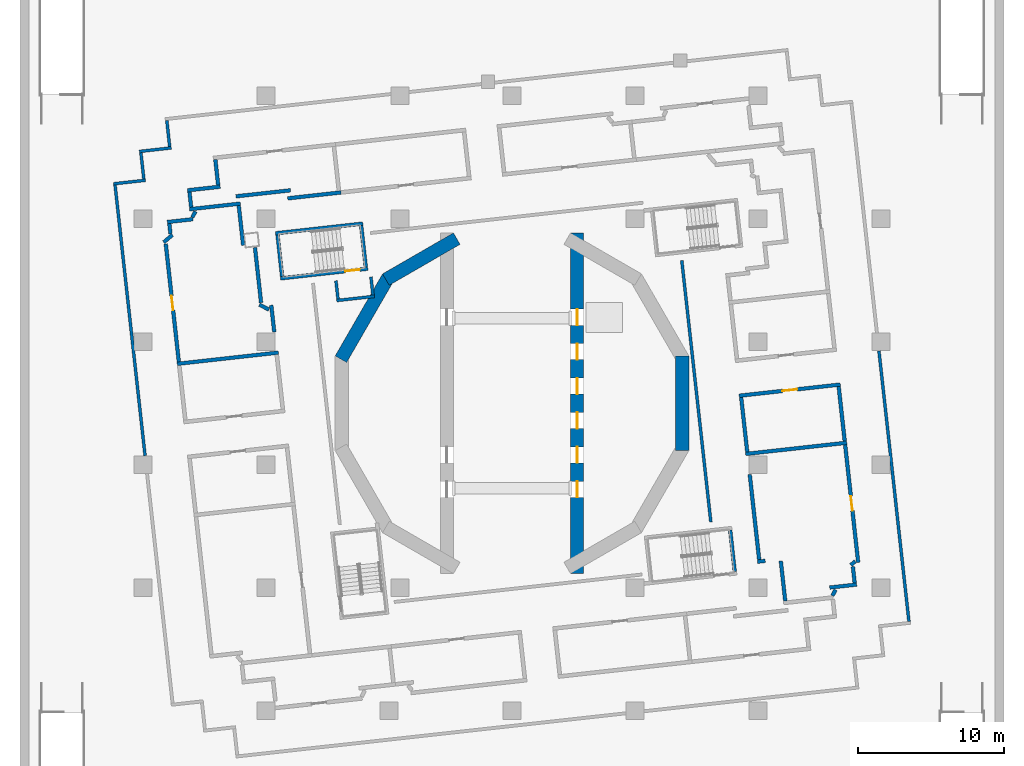
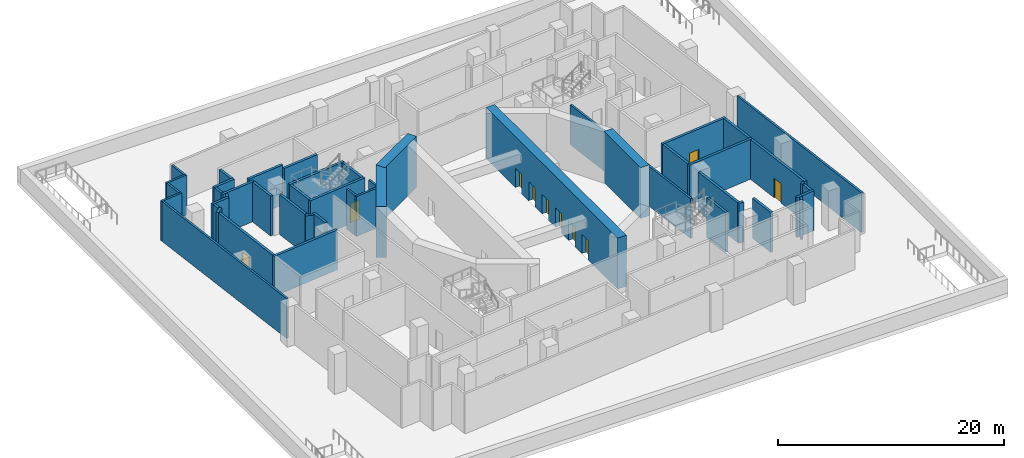
# One storey, part 3 of 12: 47 walls, 10 doors, 10 openings.
"""IFC4 building model written with IfcOpenShell, lengths in metres."""

from ifc_helpers import new_model, si_unit, direction, frame, frame_2d, origin, place, context, subcontext, project, spatial, rectangle, extrude, material, layer, layer_set, type_object, element, fill, save


model = new_model("IFC4")

# Units and contexts
model_context = context("Model", 3, precision=1e-05, world=origin(), true_north=direction((0.0, 1.0)))
body_context = subcontext(model_context, "Body", "Model", "MODEL_VIEW")
ifc_project = project(units=[si_unit("LENGTHUNIT", "METRE"), si_unit("AREAUNIT", "SQUARE_METRE"), si_unit("VOLUMEUNIT", "CUBIC_METRE"), si_unit("PLANEANGLEUNIT", "RADIAN"), si_unit("MASSUNIT", "GRAM", prefix="KILO")], contexts=[model_context])

# Site, building, storey
site_placement = place(None, origin())
site = spatial("IfcSite", under=ifc_project, at=site_placement, CompositionType="ELEMENT")
building_placement = place(site_placement, origin())
building = spatial("IfcBuilding", under=site, at=building_placement, Name="Cantera Rosa Tower", CompositionType="ELEMENT")
storey_placement = place(building_placement, frame((0.0, 0.0, 37.0)))
storey = spatial("IfcBuildingStorey", under=building, at=storey_placement, Name="L06", CompositionType="ELEMENT", Elevation=37.0)

# Walls
ifc_material_1 = material(Name="Masonry blockwork", Category="masonry")
ifc_layer_1 = layer(ifc_material_1, 0.199951171875)
ifc_layer_set_1 = layer_set([ifc_layer_1], Name="Blockwork partition 200")
wall_type_1 = type_object("IfcWallType", Name="Blockwork partition 200", PredefinedType="PARTITIONING", material=ifc_layer_set_1)
wall_1_placement = place(storey_placement, frame((-11.88232421875, 7.12841796875, 0.0), z_axis=(0.0, 0.0, 1.0), x_axis=(-0.110367206513, 0.993890879185, 0.0)))
element("IfcWall", 1, at=wall_1_placement, inside=storey, type_object=wall_type_1, Name="Partition L06-4", PredefinedType="PARTITIONING", context=body_context, shape_type="SweptSolid", body=[
    extrude(rectangle(XDim=1.249755859375, YDim=0.199951171875, at=frame_2d((0.625, 0.0))), origin(), (0.0, 0.0, 1.0), 4.300048828125),
])
wall_2_placement = place(storey_placement, frame((-11.970703125, 7.017822265625, 0.0), z_axis=(0.0, 0.0, 1.0), x_axis=(0.993895180132, 0.110328468272, 0.0)))
element("IfcWall", 2, at=wall_2_placement, inside=storey, type_object=wall_type_1, Name="Partition L06-5", PredefinedType="PARTITIONING", context=body_context, shape_type="SweptSolid", body=[
    extrude(rectangle(XDim=2.60009765625, YDim=0.199951171875, at=frame_2d((1.300048828125, 0.0))), origin(), (0.0, 0.0, 1.0), 4.300048828125),
])
wall_3_placement = place(storey_placement, frame((-9.496826171875, 7.39306640625, 0.0), z_axis=(0.0, 0.0, 1.0), x_axis=(-0.110345783203, 0.993893257915, 0.0)))
element("IfcWall", 3, at=wall_3_placement, inside=storey, type_object=wall_type_1, Name="Partition L06-6", PredefinedType="PARTITIONING", context=body_context, shape_type="SweptSolid", body=[
    extrude(rectangle(XDim=1.25, YDim=0.199951171875, at=frame_2d((0.625, 0.0))), origin(), (0.0, 0.0, 1.0), 4.300048828125),
])
wall_4_placement = place(storey_placement, frame((13.577392578125, -8.109130859375, 0.0), z_axis=(0.0, 0.0, 1.0), x_axis=(-0.110309246237, 0.993897313707, 0.0)))
element("IfcWall", 4, at=wall_4_placement, inside=storey, type_object=wall_type_1, Name="Partition L06-8", PredefinedType="PARTITIONING", context=body_context, shape_type="SweptSolid", body=[
    extrude(rectangle(XDim=17.96923828125, YDim=0.199951171875, at=frame_2d((8.984619140625, 0.0))), origin(), (0.0, 0.0, 1.0), 4.300048828125),
])
wall_5_placement = place(storey_placement, frame((-23.376220703125, 17.5283203125, 0.0), z_axis=(0.0, 0.0, 1.0), x_axis=(-0.110267775292, 0.993901915549, 0.0)))
element("IfcWall", 5, at=wall_5_placement, inside=storey, type_object=wall_type_1, Name="Partition L06-111", PredefinedType="PARTITIONING", context=body_context, shape_type="SweptSolid", body=[
    extrude(rectangle(XDim=1.800048828125, YDim=0.199951171875, at=frame_2d((0.89990234375, 0.0))), origin(), (0.0, 0.0, 1.0), 4.300048828125),
])
for number, where, z_axis, x_axis, name in (
    (6, (-25.452392578125, 17.197265625, 0.0), (0.0, 0.0, 1.0), (0.993897260817, 0.110309722784, 0.0), "Partition L06-116"),
    (7, (-27.219482421875, 14.98876953125, 0.0), (0.0, 0.0, 1.0), (0.993897260817, 0.110309722784, 0.0), "Partition L06-120"),
):
    element("IfcWall", number, at=place(storey_placement, frame(where, z_axis=z_axis, x_axis=x_axis)), inside=storey, type_object=wall_type_1, Name=name, PredefinedType="PARTITIONING", context=body_context, shape_type="SweptSolid", body=[
        extrude(rectangle(XDim=2.199951171875, YDim=0.199951171875, at=frame_2d((1.10009765625, 0.0))), origin(), (0.0, 0.0, 1.0), 4.300048828125),
    ])
wall_6_placement = place(storey_placement, frame((27.109130859375, -14.900390625, 0.0), z_axis=(0.0, 0.0, 1.0), x_axis=(-0.110303269636, 0.993897977012, 0.0)))
element("IfcWall", 8, at=wall_6_placement, inside=storey, type_object=wall_type_1, Name="Partition L06-122", PredefinedType="PARTITIONING", context=body_context, shape_type="SweptSolid", body=[
    extrude(rectangle(XDim=18.594482421875, YDim=0.199951171875, at=frame_2d((9.29736328125, 0.0))), origin(), (0.0, 0.0, 1.0), 4.300048828125),
])
wall_7_placement = place(storey_placement, frame((-25.143310546875, 15.31982421875, 0.0), z_axis=(0.0, 0.0, 1.0), x_axis=(-0.110401753874, 0.993887042245, 0.0)))
element("IfcWall", 9, at=wall_7_placement, inside=storey, type_object=wall_type_1, Name="Partition L06-131", PredefinedType="PARTITIONING", context=body_context, shape_type="SweptSolid", body=[
    extrude(rectangle(XDim=1.800048828125, YDim=0.199951171875, at=frame_2d((0.89990234375, 0.0))), origin(), (0.0, 0.0, 1.0), 4.300048828125),
])
wall_8_placement = place(storey_placement, frame((-25.05810546875, -3.58056640625, 0.0), z_axis=(0.0, 0.0, 1.0), x_axis=(-0.110303269636, 0.993897977012, 0.0)))
element("IfcWall", 10, at=wall_8_placement, inside=storey, type_object=wall_type_1, Name="Partition L06-133", PredefinedType="PARTITIONING", context=body_context, shape_type="SweptSolid", body=[
    extrude(rectangle(XDim=18.594482421875, YDim=0.199951171875, at=frame_2d((9.29736328125, 0.0))), origin(), (0.0, 0.0, 1.0), 4.300048828125),
])
ifc_material_2 = material(Name="Masonry blockwork", Category="masonry")
ifc_layer_2 = layer(ifc_material_2, 0.25)
ifc_layer_set_2 = layer_set([ifc_layer_2], Name="Fire-rated wall 250")
wall_type_2 = type_object("IfcWallType", Name="Fire-rated wall 250", PredefinedType="PARTITIONING", material=ifc_layer_set_2)
wall_9_placement = place(storey_placement, frame((16.7705078125, -10.81591796875, 0.0), z_axis=(0.0, 0.0, 1.0), x_axis=(0.993906401223, 0.110227336027, 0.0)))
element("IfcWall", 11, at=wall_9_placement, inside=storey, type_object=wall_type_2, Name="Fire wall L06-2", PredefinedType="PARTITIONING", context=body_context, shape_type="SweptSolid", body=[
    extrude(rectangle(XDim=0.52490234375, YDim=0.25, at=frame_2d((0.262451171875, 0.0))), origin(), (0.0, 0.0, 1.0), 4.300048828125),
])
wall_10_placement = place(storey_placement, frame((-18.856689453125, 14.132568359375, 0.0), z_axis=(0.0, 0.0, 1.0), x_axis=(0.993900395612, 0.110281474433, 0.0)))
element("IfcWall", 12, at=wall_10_placement, inside=storey, type_object=wall_type_2, Name="Fire wall L06-9", PredefinedType="PARTITIONING", context=body_context, shape_type="SweptSolid", body=[
    extrude(rectangle(XDim=3.750244140625, YDim=0.25, at=frame_2d((1.875, 0.0))), origin(), (0.0, 0.0, 1.0), 4.300048828125),
])
wall_11_placement = place(storey_placement, frame((-18.360107421875, 10.7919921875, 0.0), z_axis=(0.0, 0.0, 1.0), x_axis=(-0.110264258681, 0.993902305691, 0.0)))
element("IfcWall", 13, at=wall_11_placement, inside=storey, type_object=wall_type_2, Name="Fire wall L06-10", PredefinedType="PARTITIONING", context=body_context, shape_type="SweptSolid", body=[
    extrude(rectangle(XDim=2.723388671875, YDim=0.25, at=frame_2d((1.36181640625, 0.0))), origin(), (0.0, 0.0, 1.0), 4.300048828125),
])
wall_12_placement = place(storey_placement, frame((-22.021240234375, 13.251708984375, 0.0), z_axis=(0.0, 0.0, 1.0), x_axis=(0.993897366929, 0.110308766705, 0.0)))
element("IfcWall", 14, at=wall_12_placement, inside=storey, type_object=wall_type_2, Name="Fire wall L06-11", PredefinedType="PARTITIONING", context=body_context, shape_type="SweptSolid", body=[
    extrude(rectangle(XDim=3.492431640625, YDim=0.25, at=frame_2d((1.74609375, 0.0))), origin(), (0.0, 0.0, 1.0), 4.300048828125),
])
wall_13_placement = place(storey_placement, frame((-15.31982421875, 13.995361328125, 0.0), z_axis=(0.0, 0.0, 1.0), x_axis=(0.993893499596, 0.110343606342, 0.0)))
element("IfcWall", 15, at=wall_13_placement, inside=storey, type_object=wall_type_2, Name="Fire wall L06-12", PredefinedType="PARTITIONING", context=body_context, shape_type="SweptSolid", body=[
    extrude(rectangle(XDim=3.6572265625, YDim=0.25, at=frame_2d((1.82861328125, 0.0))), origin(), (0.0, 0.0, 1.0), 4.300048828125),
])
wall_14_placement = place(storey_placement, frame((-21.83349609375, 12.694091796875, 0.0), z_axis=(0.0, 0.0, 1.0), x_axis=(0.464440802755, 0.885604167072, 0.0)))
element("IfcWall", 16, at=wall_14_placement, inside=storey, type_object=wall_type_2, Name="Fire wall L06-19", PredefinedType="PARTITIONING", context=body_context, shape_type="SweptSolid", body=[
    extrude(rectangle(XDim=0.462646484375, YDim=0.25, at=frame_2d((0.2314453125, 0.0))), origin(), (0.0, 0.0, 1.0), 4.300048828125),
])
wall_15_placement = place(storey_placement, frame((-21.910888671875, 13.3896484375, 0.0), z_axis=(0.0, 0.0, 1.0), x_axis=(-0.110201865026, 0.993909225707, 0.0)))
element("IfcWall", 17, at=wall_15_placement, inside=storey, type_object=wall_type_2, Name="Fire wall L06-20", PredefinedType="PARTITIONING", context=body_context, shape_type="SweptSolid", body=[
    extrude(rectangle(XDim=1.050048828125, YDim=0.25, at=frame_2d((0.52490234375, 0.0))), origin(), (0.0, 0.0, 1.0), 4.300048828125),
])
wall_16_placement = place(storey_placement, frame((-22.16455078125, 14.543701171875, 0.0), z_axis=(0.0, 0.0, 1.0), x_axis=(0.993891672249, 0.110360064491, 0.0)))
element("IfcWall", 18, at=wall_16_placement, inside=storey, type_object=wall_type_2, Name="Fire wall L06-21", PredefinedType="PARTITIONING", context=body_context, shape_type="SweptSolid", body=[
    extrude(rectangle(XDim=2.249755859375, YDim=0.25, at=frame_2d((1.125, 0.0))), origin(), (0.0, 0.0, 1.0), 4.300048828125),
])
wall_17_placement = place(storey_placement, frame((-20.06640625, 14.90234375, 0.0), z_axis=(0.0, 0.0, 1.0), x_axis=(-0.11035496361, 0.993892238629, 0.0)))
element("IfcWall", 19, at=wall_17_placement, inside=storey, type_object=wall_type_2, Name="Fire wall L06-24", PredefinedType="PARTITIONING", context=body_context, shape_type="SweptSolid", body=[
    extrude(rectangle(XDim=1.75, YDim=0.25, at=frame_2d((0.875, 0.0))), origin(), (0.0, 0.0, 1.0), 4.300048828125),
])
wall_18_placement = place(storey_placement, frame((21.88330078125, -13.14111328125, 0.0), z_axis=(0.0, 0.0, 1.0), x_axis=(0.464223811287, 0.885717930853, 0.0)))
element("IfcWall", 20, at=wall_18_placement, inside=storey, type_object=wall_type_2, Name="Fire wall L06-44", PredefinedType="PARTITIONING", context=body_context, shape_type="SweptSolid", body=[
    extrude(rectangle(XDim=0.462890625, YDim=0.25, at=frame_2d((0.2314453125, 0.0))), origin(), (0.0, 0.0, 1.0), 4.300048828125),
])
wall_19_placement = place(storey_placement, frame((18.660400390625, -13.498779296875, 0.0), z_axis=(0.0, 0.0, 1.0), x_axis=(-0.110265872382, 0.993902126664, 0.0)))
element("IfcWall", 21, at=wall_19_placement, inside=storey, type_object=wall_type_2, Name="Fire wall L06-53", PredefinedType="PARTITIONING", context=body_context, shape_type="SweptSolid", body=[
    extrude(rectangle(XDim=2.75, YDim=0.25, at=frame_2d((1.375, 0.0))), origin(), (0.0, 0.0, 1.0), 4.300048828125),
])
wall_20_placement = place(storey_placement, frame((16.880859375, -10.677978515625, 0.0), z_axis=(0.0, 0.0, 1.0), x_axis=(-0.110307797837, 0.993897474459, 0.0)))
element("IfcWall", 22, at=wall_20_placement, inside=storey, type_object=wall_type_2, Name="Fire wall L06-54", PredefinedType="PARTITIONING", context=body_context, shape_type="SweptSolid", body=[
    extrude(rectangle(XDim=5.847412109375, YDim=0.25, at=frame_2d((2.923828125, 0.0))), origin(), (0.0, 0.0, 1.0), 4.300048828125),
])
wall_21_placement = place(storey_placement, frame((16.064697265625, -3.3232421875, 0.0), z_axis=(0.0, 0.0, 1.0), x_axis=(-0.110345783203, 0.993893257915, 0.0)))
element("IfcWall", 23, at=wall_21_placement, inside=storey, type_object=wall_type_2, Name="Fire wall L06-55", PredefinedType="PARTITIONING", context=body_context, shape_type="SweptSolid", body=[
    extrude(rectangle(XDim=3.750244140625, YDim=0.25, at=frame_2d((1.875, 0.0))), origin(), (0.0, 0.0, 1.0), 4.300048828125),
])
wall_22_placement = place(storey_placement, frame((15.9541015625, -3.461181640625, 0.0), z_axis=(0.0, 0.0, 1.0), x_axis=(0.993898291102, 0.110300439459, 0.0)))
element("IfcWall", 24, at=wall_22_placement, inside=storey, type_object=wall_type_2, Name="Fire wall L06-60", PredefinedType="PARTITIONING", context=body_context, shape_type="SweptSolid", body=[
    extrude(rectangle(XDim=6.9501953125, YDim=0.25, at=frame_2d((3.47509765625, 0.0))), origin(), (0.0, 0.0, 1.0), 4.300048828125),
])

# Wall, opening, door
wall_23_placement = place(storey_placement, frame((23.642822265625, -10.865234375, 0.0), z_axis=(0.0, 0.0, 1.0), x_axis=(-0.110318798785, 0.993896253456, 0.0)))
wall_23 = element("IfcWall", 25, at=wall_23_placement, inside=storey, type_object=wall_type_2, Name="Fire wall L06-61", PredefinedType="PARTITIONING", context=body_context, shape_type="SweptSolid", body=[
    extrude(rectangle(XDim=8.08203125, YDim=0.25, at=frame_2d((4.041015625, 0.0))), origin(), (0.0, 0.0, 1.0), 4.300048828125),
])
opening_1_placement = place(wall_23_placement, frame((3.541015625, 0.0, 0.0)))
opening_1 = element("IfcOpeningElement", 26, at=opening_1_placement, cuts=wall_23, Name="Opening L06-005", PredefinedType="OPENING", context=body_context, shape_type="SweptSolid", body=[
    extrude(rectangle(XDim=1.0, YDim=2.10009765625, at=frame_2d((0.5, 1.050048828125))), frame((0.0, 0.135009765625, 0.0), z_axis=(0.0, -1.0, 0.0), x_axis=(1.0, 0.0, 0.0)), (0.0, 0.0, 1.0), 0.27001953125),
])
ifc_material_3 = material(Name="Steel S355J2 (EN 10025-2)", Category="steel")
door_type_1 = type_object("IfcDoorType", Name="Fire door 1000x2100", OperationType="NOTDEFINED", PredefinedType="DOOR", material=ifc_material_3)
door_1_placement = place(opening_1_placement, origin())
door_1 = element("IfcDoor", 27, at=door_1_placement, inside=storey, type_object=door_type_1, Name="Door L06-005", OverallHeight=2.10009765625, OverallWidth=1.0, PredefinedType="DOOR", context=body_context, shape_type="SweptSolid", body=[
    extrude(rectangle(XDim=1.0, YDim=2.10009765625, at=frame_2d((0.5, 1.050048828125))), frame((0.0, 0.02490234375, 0.0), z_axis=(0.0, -1.0, 0.0), x_axis=(1.0, 0.0, 0.0)), (0.0, 0.0, 1.0), 0.050048828125),
])
fill(opening_1, door_1)

# Walls
wall_24_placement = place(storey_placement, frame((22.7236328125, -2.583984375, 0.0), z_axis=(0.0, 0.0, 1.0), x_axis=(-0.110288610559, 0.993899603773, 0.0)))
element("IfcWall", 28, at=wall_24_placement, inside=storey, type_object=wall_type_2, Name="Fire wall L06-62", PredefinedType="PARTITIONING", context=body_context, shape_type="SweptSolid", body=[
    extrude(rectangle(XDim=3.75, YDim=0.25, at=frame_2d((1.875, 0.0))), origin(), (0.0, 0.0, 1.0), 4.300048828125),
])
wall_25_placement = place(storey_placement, frame((23.14111328125, -11.046630859375, 0.0), z_axis=(0.0, 0.0, 1.0), x_axis=(0.762334203963, 0.647183560876, 0.0)))
element("IfcWall", 29, at=wall_25_placement, inside=storey, type_object=wall_type_2, Name="Fire wall L06-65", PredefinedType="PARTITIONING", context=body_context, shape_type="SweptSolid", body=[
    extrude(rectangle(XDim=0.396484375, YDim=0.25, at=frame_2d((0.1982421875, 0.0))), origin(), (0.0, 0.0, 1.0), 4.300048828125),
])
wall_26_placement = place(storey_placement, frame((23.402587890625, -12.268310546875, 0.0), z_axis=(0.0, 0.0, 1.0), x_axis=(-0.110479453985, 0.99387840818, 0.0)))
element("IfcWall", 30, at=wall_26_placement, inside=storey, type_object=wall_type_2, Name="Fire wall L06-66", PredefinedType="PARTITIONING", context=body_context, shape_type="SweptSolid", body=[
    extrude(rectangle(XDim=1.1181640625, YDim=0.25, at=frame_2d((0.55908203125, 0.0))), origin(), (0.0, 0.0, 1.0), 4.300048828125),
])
wall_27_placement = place(storey_placement, frame((21.695556640625, -12.58349609375, 0.0), z_axis=(0.0, 0.0, 1.0), x_axis=(0.993893354283, 0.11034491521, 0.0)))
element("IfcWall", 31, at=wall_27_placement, inside=storey, type_object=wall_type_2, Name="Fire wall L06-68", PredefinedType="PARTITIONING", context=body_context, shape_type="SweptSolid", body=[
    extrude(rectangle(XDim=1.856201171875, YDim=0.25, at=frame_2d((0.92822265625, 0.0))), origin(), (0.0, 0.0, 1.0), 4.300048828125),
])

# Wall, opening, door
wall_28_placement = place(storey_placement, frame((15.512939453125, 0.514404296875, 0.0), z_axis=(0.0, 0.0, 1.0), x_axis=(0.993897863711, 0.110304290533, 0.0)))
wall_28 = element("IfcWall", 32, at=wall_28_placement, inside=storey, type_object=wall_type_2, Name="Fire wall L06-70", PredefinedType="PARTITIONING", context=body_context, shape_type="SweptSolid", body=[
    extrude(rectangle(XDim=6.949951171875, YDim=0.25, at=frame_2d((3.47509765625, 0.0))), origin(), (0.0, 0.0, 1.0), 4.300048828125),
])
opening_2_placement = place(wall_28_placement, frame((2.97509765625, 0.0, 0.0)))
opening_2 = element("IfcOpeningElement", 33, at=opening_2_placement, cuts=wall_28, Name="Opening L06-006", PredefinedType="OPENING", context=body_context, shape_type="SweptSolid", body=[
    extrude(rectangle(XDim=1.0, YDim=2.10009765625, at=frame_2d((0.5, 1.050048828125))), frame((0.0, 0.135009765625, 0.0), z_axis=(0.0, -1.0, 0.0), x_axis=(1.0, 0.0, 0.0)), (0.0, 0.0, 1.0), 0.27001953125),
])
door_2_placement = place(opening_2_placement, origin())
door_2 = element("IfcDoor", 34, at=door_2_placement, inside=storey, type_object=door_type_1, Name="Door L06-006", OverallHeight=2.10009765625, OverallWidth=1.0, PredefinedType="DOOR", context=body_context, shape_type="SweptSolid", body=[
    extrude(rectangle(XDim=1.0, YDim=2.10009765625, at=frame_2d((0.5, 1.050048828125))), frame((0.0, 0.02490234375, 0.0), z_axis=(0.0, -1.0, 0.0), x_axis=(1.0, 0.0, 0.0)), (0.0, 0.0, 1.0), 0.050048828125),
])
fill(opening_2, door_2)

# Walls
wall_29_placement = place(storey_placement, frame((-22.86181640625, 2.694580078125, 0.0), z_axis=(0.0, 0.0, 1.0), x_axis=(0.993898291102, 0.110300439459, 0.0)))
element("IfcWall", 35, at=wall_29_placement, inside=storey, type_object=wall_type_2, Name="Fire wall L06-71", PredefinedType="PARTITIONING", context=body_context, shape_type="SweptSolid", body=[
    extrude(rectangle(XDim=6.9501953125, YDim=0.25, at=frame_2d((3.47509765625, 0.0))), origin(), (0.0, 0.0, 1.0), 4.300048828125),
])
wall_30_placement = place(storey_placement, frame((-23.54052734375, 12.378662109375, 0.0), z_axis=(0.0, 0.0, 1.0), x_axis=(0.993890513564, 0.110370498989, 0.0)))
element("IfcWall", 36, at=wall_30_placement, inside=storey, type_object=wall_type_2, Name="Fire wall L06-83", PredefinedType="PARTITIONING", context=body_context, shape_type="SweptSolid", body=[
    extrude(rectangle(XDim=1.75634765625, YDim=0.25, at=frame_2d((0.878173828125, 0.0))), origin(), (0.0, 0.0, 1.0), 4.300048828125),
])

# Wall, opening, door
wall_31_placement = place(storey_placement, frame((-22.751220703125, 2.83251953125, 0.0), z_axis=(0.0, 0.0, 1.0), x_axis=(-0.110335624354, 0.993894385736, 0.0)))
wall_31 = element("IfcWall", 37, at=wall_31_placement, inside=storey, type_object=wall_type_2, Name="Fire wall L06-101", PredefinedType="PARTITIONING", context=body_context, shape_type="SweptSolid", body=[
    extrude(rectangle(XDim=8.10302734375, YDim=0.25, at=frame_2d((4.051513671875, 0.0))), origin(), (0.0, 0.0, 1.0), 4.300048828125),
])
opening_3_placement = place(wall_31_placement, frame((3.551513671875, 0.0, 0.0)))
opening_3 = element("IfcOpeningElement", 38, at=opening_3_placement, cuts=wall_31, Name="Opening L06-016", PredefinedType="OPENING", context=body_context, shape_type="SweptSolid", body=[
    extrude(rectangle(XDim=1.0, YDim=2.10009765625, at=frame_2d((0.5, 1.050048828125))), frame((0.0, 0.135009765625, 0.0), z_axis=(0.0, -1.0, 0.0), x_axis=(1.0, 0.0, 0.0)), (0.0, 0.0, 1.0), 0.27001953125),
])
door_3_placement = place(opening_3_placement, origin())
door_3 = element("IfcDoor", 39, at=door_3_placement, inside=storey, type_object=door_type_1, Name="Door L06-016", OverallHeight=2.10009765625, OverallWidth=1.0, PredefinedType="DOOR", context=body_context, shape_type="SweptSolid", body=[
    extrude(rectangle(XDim=1.0, YDim=2.10009765625, at=frame_2d((0.5, 1.050048828125))), frame((0.0, 0.02490234375, 0.0), z_axis=(0.0, -1.0, 0.0), x_axis=(1.0, 0.0, 0.0)), (0.0, 0.0, 1.0), 0.050048828125),
])
fill(opening_3, door_3)

# Walls
wall_32_placement = place(storey_placement, frame((-16.23583984375, 4.8662109375, 0.0), z_axis=(0.0, 0.0, 1.0), x_axis=(-0.110344291852, 0.993893423489, 0.0)))
element("IfcWall", 40, at=wall_32_placement, inside=storey, type_object=wall_type_2, Name="Fire wall L06-105", PredefinedType="PARTITIONING", context=body_context, shape_type="SweptSolid", body=[
    extrude(rectangle(XDim=1.843017578125, YDim=0.25, at=frame_2d((0.92138671875, 0.0))), origin(), (0.0, 0.0, 1.0), 4.300048828125),
])
wall_33_placement = place(storey_placement, frame((-23.783203125, 10.99658203125, 0.0), z_axis=(0.0, 0.0, 1.0), x_axis=(0.762311644248, 0.647210133607, 0.0)))
element("IfcWall", 41, at=wall_33_placement, inside=storey, type_object=wall_type_2, Name="Fire wall L06-106", PredefinedType="PARTITIONING", context=body_context, shape_type="SweptSolid", body=[
    extrude(rectangle(XDim=0.7763671875, YDim=0.25, at=frame_2d((0.38818359375, 0.0))), origin(), (0.0, 0.0, 1.0), 4.300048828125),
])
wall_34_placement = place(storey_placement, frame((-23.32568359375, 11.575439453125, 0.0), z_axis=(0.0, 0.0, 1.0), x_axis=(-0.110316212218, 0.993896540552, 0.0)))
element("IfcWall", 42, at=wall_34_placement, inside=storey, type_object=wall_type_2, Name="Fire wall L06-107", PredefinedType="PARTITIONING", context=body_context, shape_type="SweptSolid", body=[
    extrude(rectangle(XDim=0.697021484375, YDim=0.25, at=frame_2d((0.3486328125, 0.0))), origin(), (0.0, 0.0, 1.0), 4.300048828125),
])
wall_35_placement = place(storey_placement, frame((-17.135986328125, 6.872314453125, 0.0), z_axis=(0.0, 0.0, 1.0), x_axis=(-0.110296859192, 0.993898688425, 0.0)))
element("IfcWall", 43, at=wall_35_placement, inside=storey, type_object=wall_type_2, Name="Fire wall L06-108", PredefinedType="PARTITIONING", context=body_context, shape_type="SweptSolid", body=[
    extrude(rectangle(XDim=3.780517578125, YDim=0.25, at=frame_2d((1.89013671875, 0.0))), origin(), (0.0, 0.0, 1.0), 4.300048828125),
])
wall_36_placement = place(storey_placement, frame((-17.24658203125, 6.734130859375, 0.0), z_axis=(0.0, 0.0, 1.0), x_axis=(0.885746856045, -0.464168619152, 0.0)))
element("IfcWall", 44, at=wall_36_placement, inside=storey, type_object=wall_type_2, Name="Fire wall L06-109", PredefinedType="PARTITIONING", context=body_context, shape_type="SweptSolid", body=[
    extrude(rectangle(XDim=0.733642578125, YDim=0.25, at=frame_2d((0.36669921875, 0.0))), origin(), (0.0, 0.0, 1.0), 4.300048828125),
])
ifc_material_4 = material(Name="Concrete C70/85", Category="concrete")
ifc_layer_3 = layer(ifc_material_4, 0.89990234375)
ifc_layer_set_3 = layer_set([ifc_layer_3], Name="RC CORE WALL 900 C70/85")
wall_type_3 = type_object("IfcWallType", Name="RC CORE WALL 900 C70/85", PredefinedType="SHEAR", material=ifc_layer_set_3)
wall_37_placement = place(storey_placement, frame((-11.684326171875, 3.01025390625, 0.0), z_axis=(0.0, 0.0, 1.0), x_axis=(0.499990282633, 0.866031014036, 0.0)))
element("IfcWall", 45, at=wall_37_placement, inside=storey, type_object=wall_type_3, Name="CW-W4 L06", PredefinedType="SHEAR", context=body_context, shape_type="SweptSolid", body=[
    extrude(rectangle(XDim=6.470458984375, YDim=0.89990234375, at=frame_2d((3.2353515625, 0.0))), origin(), (0.0, 0.0, 1.0), 5.5),
])
wall_38_placement = place(storey_placement, frame((-8.61376953125, 8.44921875, 0.0), z_axis=(0.0, 0.0, 1.0), x_axis=(0.866026961591, 0.49999730179, 0.0)))
element("IfcWall", 46, at=wall_38_placement, inside=storey, type_object=wall_type_3, Name="CW-W5 L06", PredefinedType="SHEAR", context=body_context, shape_type="SweptSolid", body=[
    extrude(rectangle(XDim=5.58740234375, YDim=0.89990234375, at=frame_2d((2.793701171875, 0.0))), origin(), (0.0, 0.0, 1.0), 5.5),
])
wall_39_placement = place(storey_placement, frame((11.6240234375, 3.2353515625, 0.0), z_axis=(0.0, 0.0, 1.0), x_axis=(0.0, -1.0, 0.0)))
element("IfcWall", 47, at=wall_39_placement, inside=storey, type_object=wall_type_3, Name="CW-E3 L06", PredefinedType="SHEAR", context=body_context, shape_type="SweptSolid", body=[
    extrude(rectangle(XDim=6.470703125, YDim=0.89990234375, at=frame_2d((3.2353515625, 0.0))), origin(), (0.0, 0.0, 1.0), 5.5),
])

# Wall, openings, doors
wall_40_placement = place(storey_placement, frame((4.449951171875, -11.632568359375, 0.0), z_axis=(0.0, 0.0, 1.0), x_axis=(0.0, 1.0, 0.0)))
wall_40 = element("IfcWall", 48, at=wall_40_placement, inside=storey, type_object=wall_type_3, Name="CW-E6 L06", PredefinedType="SHEAR", context=body_context, shape_type="SweptSolid", body=[
    extrude(rectangle(XDim=23.26513671875, YDim=0.89990234375, at=frame_2d((11.632568359375, 0.0))), origin(), (0.0, 0.0, 1.0), 5.5),
])
opening_4_placement = place(wall_40_placement, frame((7.5576171875, 0.0, 0.0)))
opening_4 = element("IfcOpeningElement", 49, at=opening_4_placement, cuts=wall_40, Name="Opening LD-FF1-L06", PredefinedType="OPENING", context=body_context, shape_type="SweptSolid", body=[
    extrude(rectangle(XDim=1.10009765625, YDim=2.10009765625, at=frame_2d((0.550048828125, 1.050048828125))), frame((0.0, 0.4599609375, 0.0), z_axis=(0.0, -1.0, 0.0), x_axis=(1.0, 0.0, 0.0)), (0.0, 0.0, 1.0), 0.919921875),
])
opening_5_placement = place(wall_40_placement, frame((9.907470703125, 0.0, 0.0)))
opening_5 = element("IfcOpeningElement", 50, at=opening_5_placement, cuts=wall_40, Name="Opening LD-FF2-L06", PredefinedType="OPENING", context=body_context, shape_type="SweptSolid", body=[
    extrude(rectangle(XDim=1.10009765625, YDim=2.10009765625, at=frame_2d((0.550048828125, 1.050048828125))), frame((0.0, 0.4599609375, 0.0), z_axis=(0.0, -1.0, 0.0), x_axis=(1.0, 0.0, 0.0)), (0.0, 0.0, 1.0), 0.919921875),
])
opening_6_placement = place(wall_40_placement, frame((12.257568359375, 0.0, 0.0)))
opening_6 = element("IfcOpeningElement", 51, at=opening_6_placement, cuts=wall_40, Name="Opening LD-P1-L06", PredefinedType="OPENING", context=body_context, shape_type="SweptSolid", body=[
    extrude(rectangle(XDim=1.10009765625, YDim=2.10009765625, at=frame_2d((0.550048828125, 1.050048828125))), frame((0.0, 0.4599609375, 0.0), z_axis=(0.0, -1.0, 0.0), x_axis=(1.0, 0.0, 0.0)), (0.0, 0.0, 1.0), 0.919921875),
])
opening_7_placement = place(wall_40_placement, frame((14.607421875, 0.0, 0.0)))
opening_7 = element("IfcOpeningElement", 52, at=opening_7_placement, cuts=wall_40, Name="Opening LD-P2-L06", PredefinedType="OPENING", context=body_context, shape_type="SweptSolid", body=[
    extrude(rectangle(XDim=1.10009765625, YDim=2.10009765625, at=frame_2d((0.550048828125, 1.050048828125))), frame((0.0, 0.4599609375, 0.0), z_axis=(0.0, -1.0, 0.0), x_axis=(1.0, 0.0, 0.0)), (0.0, 0.0, 1.0), 0.919921875),
])
opening_8_placement = place(wall_40_placement, frame((5.20751953125, 0.0, 0.0)))
opening_8 = element("IfcOpeningElement", 53, at=opening_8_placement, cuts=wall_40, Name="Opening LD-P6-L06", PredefinedType="OPENING", context=body_context, shape_type="SweptSolid", body=[
    extrude(rectangle(XDim=1.10009765625, YDim=2.10009765625, at=frame_2d((0.550048828125, 1.050048828125))), frame((0.0, 0.4599609375, 0.0), z_axis=(0.0, -1.0, 0.0), x_axis=(1.0, 0.0, 0.0)), (0.0, 0.0, 1.0), 0.919921875),
])
opening_9_placement = place(wall_40_placement, frame((16.95751953125, 0.0, 0.0)))
opening_9 = element("IfcOpeningElement", 54, at=opening_9_placement, cuts=wall_40, Name="Opening LD-PC1-L06", PredefinedType="OPENING", context=body_context, shape_type="SweptSolid", body=[
    extrude(rectangle(XDim=1.10009765625, YDim=2.10009765625, at=frame_2d((0.550048828125, 1.050048828125))), frame((0.0, 0.4599609375, 0.0), z_axis=(0.0, -1.0, 0.0), x_axis=(1.0, 0.0, 0.0)), (0.0, 0.0, 1.0), 0.919921875),
])
ifc_material_5 = material(Name="Steel S355J2 (EN 10025-2)", Category="steel")
door_type_2 = type_object("IfcDoorType", Name="LANDING DOOR 1100x2100", OperationType="NOTDEFINED", PredefinedType="DOOR", material=ifc_material_5)
door_4_placement = place(opening_4_placement, origin())
door_4 = element("IfcDoor", 55, at=door_4_placement, inside=storey, type_object=door_type_2, Name="LANDING DOOR FF1 L06", OperationType="SLIDING_TO_LEFT", OverallHeight=2.10009765625, OverallWidth=1.10009765625, PredefinedType="DOOR", context=body_context, shape_type="SweptSolid", body=[
    extrude(rectangle(XDim=1.10009765625, YDim=2.10009765625, at=frame_2d((0.550048828125, 1.050048828125))), frame((0.0, 0.02490234375, 0.0), z_axis=(0.0, -1.0, 0.0), x_axis=(1.0, 0.0, 0.0)), (0.0, 0.0, 1.0), 0.050048828125),
])
fill(opening_4, door_4)
door_5_placement = place(opening_5_placement, origin())
door_5 = element("IfcDoor", 56, at=door_5_placement, inside=storey, type_object=door_type_2, Name="LANDING DOOR FF2 L06", OperationType="SLIDING_TO_LEFT", OverallHeight=2.10009765625, OverallWidth=1.10009765625, PredefinedType="DOOR", context=body_context, shape_type="SweptSolid", body=[
    extrude(rectangle(XDim=1.10009765625, YDim=2.10009765625, at=frame_2d((0.550048828125, 1.050048828125))), frame((0.0, 0.02490234375, 0.0), z_axis=(0.0, -1.0, 0.0), x_axis=(1.0, 0.0, 0.0)), (0.0, 0.0, 1.0), 0.050048828125),
])
fill(opening_5, door_5)
door_6_placement = place(opening_6_placement, origin())
door_6 = element("IfcDoor", 57, at=door_6_placement, inside=storey, type_object=door_type_2, Name="LANDING DOOR P1 L06", OperationType="SLIDING_TO_LEFT", OverallHeight=2.10009765625, OverallWidth=1.10009765625, PredefinedType="DOOR", context=body_context, shape_type="SweptSolid", body=[
    extrude(rectangle(XDim=1.10009765625, YDim=2.10009765625, at=frame_2d((0.550048828125, 1.050048828125))), frame((0.0, 0.02490234375, 0.0), z_axis=(0.0, -1.0, 0.0), x_axis=(1.0, 0.0, 0.0)), (0.0, 0.0, 1.0), 0.050048828125),
])
fill(opening_6, door_6)
door_7_placement = place(opening_7_placement, origin())
door_7 = element("IfcDoor", 58, at=door_7_placement, inside=storey, type_object=door_type_2, Name="LANDING DOOR P2 L06", OperationType="SLIDING_TO_LEFT", OverallHeight=2.10009765625, OverallWidth=1.10009765625, PredefinedType="DOOR", context=body_context, shape_type="SweptSolid", body=[
    extrude(rectangle(XDim=1.10009765625, YDim=2.10009765625, at=frame_2d((0.550048828125, 1.050048828125))), frame((0.0, 0.02490234375, 0.0), z_axis=(0.0, -1.0, 0.0), x_axis=(1.0, 0.0, 0.0)), (0.0, 0.0, 1.0), 0.050048828125),
])
fill(opening_7, door_7)
door_8_placement = place(opening_8_placement, origin())
door_8 = element("IfcDoor", 59, at=door_8_placement, inside=storey, type_object=door_type_2, Name="LANDING DOOR P6 L06", OperationType="SLIDING_TO_LEFT", OverallHeight=2.10009765625, OverallWidth=1.10009765625, PredefinedType="DOOR", context=body_context, shape_type="SweptSolid", body=[
    extrude(rectangle(XDim=1.10009765625, YDim=2.10009765625, at=frame_2d((0.550048828125, 1.050048828125))), frame((0.0, 0.02490234375, 0.0), z_axis=(0.0, -1.0, 0.0), x_axis=(1.0, 0.0, 0.0)), (0.0, 0.0, 1.0), 0.050048828125),
])
fill(opening_8, door_8)
door_9_placement = place(opening_9_placement, origin())
door_9 = element("IfcDoor", 60, at=door_9_placement, inside=storey, type_object=door_type_2, Name="LANDING DOOR PC1 L06", OperationType="SLIDING_TO_LEFT", OverallHeight=2.10009765625, OverallWidth=1.10009765625, PredefinedType="DOOR", context=body_context, shape_type="SweptSolid", body=[
    extrude(rectangle(XDim=1.10009765625, YDim=2.10009765625, at=frame_2d((0.550048828125, 1.050048828125))), frame((0.0, 0.02490234375, 0.0), z_axis=(0.0, -1.0, 0.0), x_axis=(1.0, 0.0, 0.0)), (0.0, 0.0, 1.0), 0.050048828125),
])
fill(opening_9, door_9)

# Wall
ifc_material_6 = material(Name="Concrete C50/60", Category="concrete")
ifc_layer_4 = layer(ifc_material_6, 0.25)
ifc_layer_set_4 = layer_set([ifc_layer_4], Name="RC stair wall 250 C50/60")
wall_type_4 = type_object("IfcWallType", Name="RC stair wall 250", PredefinedType="SOLIDWALL", material=ifc_layer_set_4)
wall_41_placement = place(storey_placement, frame((-10.2998046875, 12.133544921875, 0.0), z_axis=(0.0, 0.0, 1.0), x_axis=(0.110328108544, -0.993895220063, 0.0)))
element("IfcWall", 61, at=wall_41_placement, inside=storey, type_object=wall_type_4, Name="Stair wall ST-12 L06-1", PredefinedType="SOLIDWALL", context=body_context, shape_type="SweptSolid", body=[
    extrude(rectangle(XDim=2.85009765625, YDim=0.25, at=frame_2d((1.425048828125, 0.0))), origin(), (0.0, 0.0, 1.0), 4.300048828125),
])

# Wall, opening, door
wall_42_placement = place(storey_placement, frame((-9.847412109375, 9.1904296875, 0.0), z_axis=(0.0, 0.0, 1.0), x_axis=(-0.993897125329, -0.110310943534, 0.0)))
wall_42 = element("IfcWall", 62, at=wall_42_placement, inside=storey, type_object=wall_type_4, Name="Stair wall ST-12 L06-2", PredefinedType="SOLIDWALL", context=body_context, shape_type="SweptSolid", body=[
    extrude(rectangle(XDim=6.0, YDim=0.25, at=frame_2d((3.0, 0.0))), origin(), (0.0, 0.0, 1.0), 4.300048828125),
])
opening_10_placement = place(wall_42_placement, frame((0.550048828125, 0.0, 0.0)))
opening_10 = element("IfcOpeningElement", 63, at=opening_10_placement, cuts=wall_42, Name="Opening L06-ST-12", PredefinedType="OPENING", context=body_context, shape_type="SweptSolid", body=[
    extrude(rectangle(XDim=1.0, YDim=2.10009765625, at=frame_2d((0.5, 1.050048828125))), frame((0.0, 0.135009765625, 0.0), z_axis=(0.0, -1.0, 0.0), x_axis=(1.0, 0.0, 0.0)), (0.0, 0.0, 1.0), 0.27001953125),
])
ifc_material_7 = material(Name="Steel S355J2 (EN 10025-2)", Category="steel")
door_type_3 = type_object("IfcDoorType", Name="Fire door 1000x2100 EI 120", OperationType="NOTDEFINED", PredefinedType="DOOR", material=ifc_material_7)
door_10_placement = place(opening_10_placement, origin())
door_10 = element("IfcDoor", 64, at=door_10_placement, inside=storey, type_object=door_type_3, Name="Door L06-ST-12", OverallHeight=2.10009765625, OverallWidth=1.0, PredefinedType="DOOR", context=body_context, shape_type="SweptSolid", body=[
    extrude(rectangle(XDim=1.0, YDim=2.10009765625, at=frame_2d((0.5, 1.050048828125))), frame((0.0, 0.02490234375, 0.0), z_axis=(0.0, -1.0, 0.0), x_axis=(1.0, 0.0, 0.0)), (0.0, 0.0, 1.0), 0.050048828125),
])
fill(opening_10, door_10)

# Walls
wall_43_placement = place(storey_placement, frame((-15.7001953125, 8.66650390625, 0.0), z_axis=(0.0, 0.0, 1.0), x_axis=(-0.110328108544, 0.993895220063, 0.0)))
element("IfcWall", 65, at=wall_43_placement, inside=storey, type_object=wall_type_4, Name="Stair wall ST-12 L06-3", PredefinedType="SOLIDWALL", context=body_context, shape_type="SweptSolid", body=[
    extrude(rectangle(XDim=2.85009765625, YDim=0.25, at=frame_2d((1.425048828125, 0.0))), origin(), (0.0, 0.0, 1.0), 4.300048828125),
])
wall_44_placement = place(storey_placement, frame((-16.152587890625, 11.609619140625, 0.0), z_axis=(0.0, 0.0, 1.0), x_axis=(0.993897125329, 0.110310943534, 0.0)))
element("IfcWall", 66, at=wall_44_placement, inside=storey, type_object=wall_type_4, Name="Stair wall ST-12 L06-4", PredefinedType="SOLIDWALL", context=body_context, shape_type="SweptSolid", body=[
    extrude(rectangle(XDim=6.0, YDim=0.25, at=frame_2d((3.0, 0.0))), origin(), (0.0, 0.0, 1.0), 4.300048828125),
])
wall_45_placement = place(storey_placement, frame((14.900390625, -8.66650390625, 0.0), z_axis=(0.0, 0.0, 1.0), x_axis=(0.110243491536, -0.993904609394, 0.0)))
element("IfcWall", 67, at=wall_45_placement, inside=storey, type_object=wall_type_4, Name="Stair wall ST-14 L06-1", PredefinedType="SOLIDWALL", context=body_context, shape_type="SweptSolid", body=[
    extrude(rectangle(XDim=2.85009765625, YDim=0.25, at=frame_2d((1.425048828125, 0.0))), origin(), (0.0, 0.0, 1.0), 4.300048828125),
])

save(model, "model.ifc")
